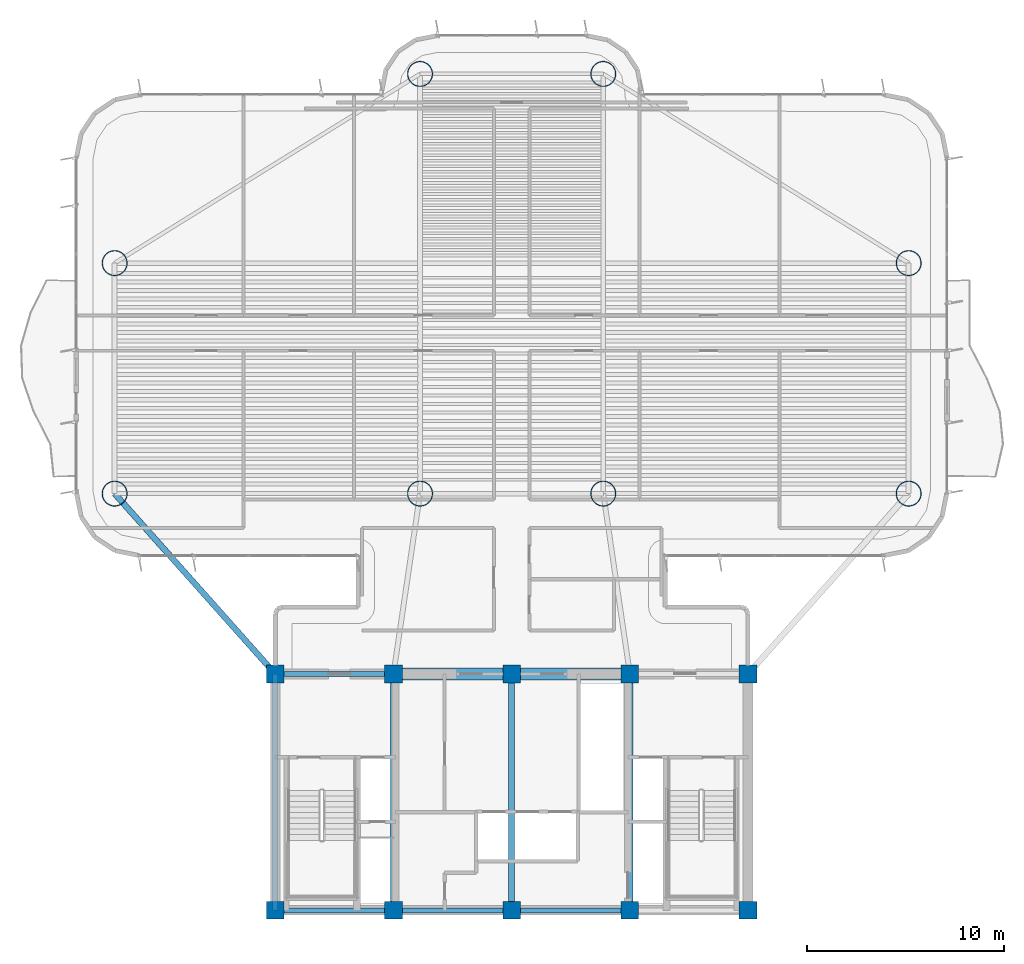
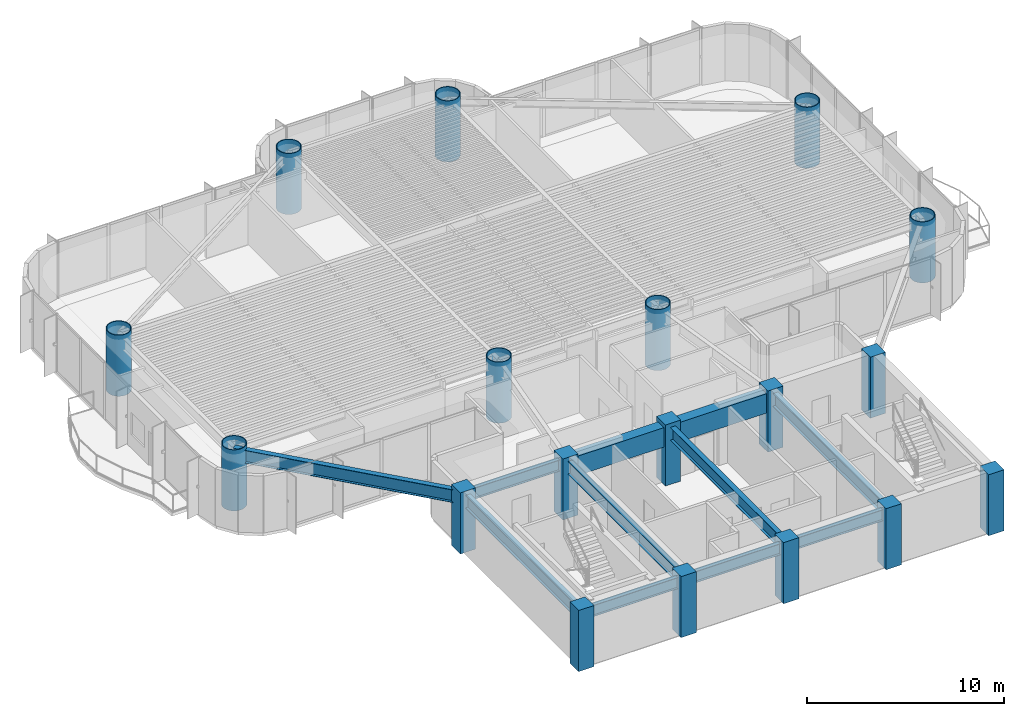
# One storey, part 1 of 16: 18 columns, 10 beams.
"""IFC4 building model written with IfcOpenShell, lengths in metres."""

from ifc_helpers import new_model, si_unit, direction, frame, origin, origin_2d, place, context, subcontext, project, spatial, rectangle, hollow_circle, i_section, extrude, source, transform, mapped, material, material_profile, profile_set, type_object, element, save


model = new_model("IFC4")

# Units and contexts
model_context = context("Model", 3, precision=1e-05, world=origin(), true_north=direction((0.0, 1.0)))
body_context = subcontext(model_context, "Body", "Model", "MODEL_VIEW")
ifc_project = project(units=[si_unit("LENGTHUNIT", "METRE"), si_unit("AREAUNIT", "SQUARE_METRE"), si_unit("VOLUMEUNIT", "CUBIC_METRE"), si_unit("PLANEANGLEUNIT", "RADIAN"), si_unit("MASSUNIT", "GRAM", prefix="KILO")], contexts=[model_context])

# Site, building, storey
site_placement = place(None, origin())
site = spatial("IfcSite", under=ifc_project, at=site_placement, CompositionType="ELEMENT")
building_placement = place(site_placement, origin())
building = spatial("IfcBuilding", under=site, at=building_placement, Name="Brelvock Crest Care Tower", CompositionType="ELEMENT")
storey_placement = place(building_placement, frame((0.0, 0.0, 123.840087890625)))
storey = spatial("IfcBuildingStorey", under=building, at=storey_placement, Name="L31", CompositionType="ELEMENT", Elevation=123.840087890625)

# Columns
ifc_material_1 = material(Name="Concrete S80 (80 MPa)", Category="concrete")
ifc_material_profile_1 = material_profile(ifc_material_1, rectangle(XDim=0.89990234375, YDim=0.89990234375, at=origin_2d()), Name="RC900x900")
ifc_profile_set_1 = profile_set([ifc_material_profile_1], Name="Concrete S80 (80 MPa)")
column_type_1 = type_object("IfcColumnType", Name="COL-RC2", PredefinedType="COLUMN", material=ifc_profile_set_1)
shared_shape_1 = source(origin(), body_context, "Body", "SweptSolid", [
    extrude(rectangle(XDim=0.89990234375, YDim=0.89990234375, at=origin_2d()), origin(), (0.0, 0.0, 1.0), 3.780029296875),
])
for number, where, z_axis, x_axis, name in (
    (1, (24.0, 6.0, 0.0), (0.0, 0.0, 1.0), (1.0, 0.0, 0.0), "L31 Core Column CC-01"),
    (2, (30.0, 6.0, 0.0), (0.0, 0.0, 1.0), (1.0, 0.0, 0.0), "L31 Core Column CC-02"),
    (3, (36.0, 6.0, 0.0), (0.0, 0.0, 1.0), (1.0, 0.0, 0.0), "L31 Core Column CC-03"),
    (4, (42.0, 6.0, 0.0), (0.0, 0.0, 1.0), (1.0, 0.0, 0.0), "L31 Core Column CC-04"),
    (5, (48.0, 6.0, 0.0), (0.0, 0.0, 1.0), (1.0, 0.0, 0.0), "L31 Core Column CC-05"),
    (6, (24.0, 18.0, 0.0), (0.0, 0.0, 1.0), (1.0, 0.0, 0.0), "L31 Core Column CC-06"),
    (7, (30.0, 18.0, 0.0), (0.0, 0.0, 1.0), (1.0, 0.0, 0.0), "L31 Core Column CC-07"),
    (8, (36.0, 18.0, 0.0), (0.0, 0.0, 1.0), (1.0, 0.0, 0.0), "L31 Core Column CC-08"),
    (9, (42.0, 18.0, 0.0), (0.0, 0.0, 1.0), (1.0, 0.0, 0.0), "L31 Core Column CC-09"),
    (10, (48.0, 18.0, 0.0), (0.0, 0.0, 1.0), (1.0, 0.0, 0.0), "L31 Core Column CC-10"),
):
    element("IfcColumn", number, at=place(storey_placement, frame(where, z_axis=z_axis, x_axis=x_axis)), inside=storey, type_object=column_type_1, Name=name, PredefinedType="COLUMN", context=body_context, shape_type="MappedRepresentation", body=[
        mapped(shared_shape_1, transform((0.0, 0.0, 0.0), x_axis=(1.0, 0.0, 0.0), y_axis=(0.0, 1.0, 0.0), z_axis=(0.0, 0.0, 1.0), scale=1.0)),
    ])
ifc_material_2 = material(Name="Steel Grade 350", Category="steel")
ifc_material_profile_2 = material_profile(ifc_material_2, hollow_circle(Radius=0.64990234375, WallThickness=0.044921875, at=origin_2d()), Name="CFT1300x45")
ifc_profile_set_2 = profile_set([ifc_material_profile_2], Name="Steel Grade 350")
column_type_2 = type_object("IfcColumnType", Name="COL-MC2", PredefinedType="COLUMN", material=ifc_profile_set_2)
shared_shape_2 = source(origin(), body_context, "Body", "SweptSolid", [
    extrude(hollow_circle(Radius=0.64990234375, WallThickness=0.044921875, at=origin_2d()), origin(), (0.0, 0.0, 1.0), 3.780029296875),
])
for number, where, z_axis, x_axis, name in (
    (11, (15.85009765625, 27.14990234375, 0.0), (0.0, 0.0, 1.0), (1.0, 0.0, 0.0), "L31 Tower Column M1"),
    (12, (15.85009765625, 38.85009765625, 0.0), (0.0, 0.0, 1.0), (1.0, 0.0, 0.0), "L31 Tower Column M2"),
    (13, (56.14990234375, 27.14990234375, 0.0), (0.0, 0.0, 1.0), (1.0, 0.0, 0.0), "L31 Tower Column M3"),
    (14, (56.14990234375, 38.85009765625, 0.0), (0.0, 0.0, 1.0), (1.0, 0.0, 0.0), "L31 Tower Column M4"),
    (15, (31.35009765625, 27.14990234375, 0.0), (0.0, 0.0, 1.0), (1.0, 0.0, 0.0), "L31 Tower Column M5"),
    (16, (40.64990234375, 27.14990234375, 0.0), (0.0, 0.0, 1.0), (1.0, 0.0, 0.0), "L31 Tower Column M6"),
    (17, (31.35009765625, 48.449951171875, 0.0), (0.0, 0.0, 1.0), (1.0, 0.0, 0.0), "L31 Tower Column M7"),
    (18, (40.64990234375, 48.449951171875, 0.0), (0.0, 0.0, 1.0), (1.0, 0.0, 0.0), "L31 Tower Column M8"),
):
    element("IfcColumn", number, at=place(storey_placement, frame(where, z_axis=z_axis, x_axis=x_axis)), inside=storey, type_object=column_type_2, Name=name, PredefinedType="COLUMN", context=body_context, shape_type="MappedRepresentation", body=[
        mapped(shared_shape_2, transform((0.0, 0.0, 0.0), x_axis=(1.0, 0.0, 0.0), y_axis=(0.0, 1.0, 0.0), z_axis=(0.0, 0.0, 1.0), scale=1.0)),
    ])

# Beams
ifc_material_profile_3 = material_profile(ifc_material_1, rectangle(XDim=0.60009765625, YDim=1.199951171875, at=origin_2d()), Name="RC600x1200")
ifc_profile_set_3 = profile_set([ifc_material_profile_3], Name="Concrete S80 (80 MPa)")
beam_type_1 = type_object("IfcBeamType", Name="BM-LN1", PredefinedType="LINTEL", material=ifc_profile_set_3)
shared_shape_3 = source(origin(), body_context, "Body", "SweptSolid", [
    extrude(rectangle(XDim=0.60009765625, YDim=1.199951171875, at=origin_2d()), origin(), (0.0, 0.0, 1.0), 12.0),
])
beam_1_placement = place(storey_placement, frame((30.0, 18.0, 2.929931640625), z_axis=(1.0, 0.0, 0.0), x_axis=(0.0, 1.0, 0.0)))
element("IfcBeam", 19, at=beam_1_placement, inside=storey, type_object=beam_type_1, Name="L31 Core Coupling Lintel Beam", PredefinedType="LINTEL", context=body_context, shape_type="MappedRepresentation", body=[
    mapped(shared_shape_3, transform((0.0, 0.0, 0.0), x_axis=(1.0, 0.0, 0.0), y_axis=(0.0, 1.0, 0.0), z_axis=(0.0, 0.0, 1.0), scale=1.0)),
])
ifc_material_profile_4 = material_profile(ifc_material_2, i_section(OverallWidth=0.25, OverallDepth=0.699951171875, WebThickness=0.011962890625, FlangeThickness=0.02001953125, at=origin_2d()), Name="700WB150")
ifc_profile_set_4 = profile_set([ifc_material_profile_4], Name="Steel Grade 350")
beam_type_2 = type_object("IfcBeamType", Name="BM-G4", PredefinedType="BEAM", material=ifc_profile_set_4)
shared_shape_4 = source(origin(), body_context, "Body", "SweptSolid", [
    extrude(i_section(OverallWidth=0.25, OverallDepth=0.699951171875, WebThickness=0.011962890625, FlangeThickness=0.02001953125, at=origin_2d()), origin(), (0.0, 0.0, 1.0), 6.0),
])
for number, where, z_axis, x_axis, name in (
    (20, (24.0, 6.0, 3.179931640625), (1.0, 0.0, 0.0), (0.0, 1.0, 0.0), "BM-CORES-L31-1"),
    (21, (24.0, 18.0, 3.179931640625), (1.0, 0.0, 0.0), (0.0, 1.0, 0.0), "BM-COREN-L31-1"),
    (22, (30.0, 6.0, 3.179931640625), (1.0, 0.0, 0.0), (0.0, 1.0, 0.0), "BM-CORES-L31-2"),
    (23, (36.0, 6.0, 3.179931640625), (1.0, 0.0, 0.0), (0.0, 1.0, 0.0), "BM-CORES-L31-3"),
):
    element("IfcBeam", number, at=place(storey_placement, frame(where, z_axis=z_axis, x_axis=x_axis)), inside=storey, type_object=beam_type_2, Name=name, PredefinedType="BEAM", context=body_context, shape_type="MappedRepresentation", body=[
        mapped(shared_shape_4, transform((0.0, 0.0, 0.0), x_axis=(1.0, 0.0, 0.0), y_axis=(0.0, 1.0, 0.0), z_axis=(0.0, 0.0, 1.0), scale=1.0)),
    ])
ifc_material_profile_5 = material_profile(ifc_material_2, i_section(OverallWidth=0.300048828125, OverallDepth=0.800048828125, WebThickness=0.013916015625, FlangeThickness=0.02197265625, at=origin_2d()), Name="800WB192")
ifc_profile_set_5 = profile_set([ifc_material_profile_5], Name="Steel Grade 350")
beam_type_3 = type_object("IfcBeamType", Name="BM-G5", PredefinedType="BEAM", material=ifc_profile_set_5)
shared_shape_5 = source(origin(), body_context, "Body", "SweptSolid", [
    extrude(i_section(OverallWidth=0.300048828125, OverallDepth=0.800048828125, WebThickness=0.013916015625, FlangeThickness=0.02197265625, at=origin_2d()), origin(), (0.0, 0.0, 1.0), 12.0),
])
for number, where, z_axis, x_axis, name in (
    (24, (24.0, 6.0, 3.1298828125), (0.0, 1.0, 0.0), (-1.0, 0.0, 0.0), "BM-COREX-L31-1"),
    (25, (30.0, 6.0, 3.1298828125), (0.0, 1.0, 0.0), (-1.0, 0.0, 0.0), "BM-COREX-L31-2"),
    (26, (36.0, 6.0, 3.1298828125), (0.0, 1.0, 0.0), (-1.0, 0.0, 0.0), "BM-COREX-L31-3"),
    (27, (42.0, 6.0, 3.1298828125), (0.0, 1.0, 0.0), (-1.0, 0.0, 0.0), "BM-COREX-L31-4"),
):
    element("IfcBeam", number, at=place(storey_placement, frame(where, z_axis=z_axis, x_axis=x_axis)), inside=storey, type_object=beam_type_3, Name=name, PredefinedType="BEAM", context=body_context, shape_type="MappedRepresentation", body=[
        mapped(shared_shape_5, transform((0.0, 0.0, 0.0), x_axis=(1.0, 0.0, 0.0), y_axis=(0.0, 1.0, 0.0), z_axis=(0.0, 0.0, 1.0), scale=1.0)),
    ])
shared_shape_6 = source(origin(), body_context, "Body", "SweptSolid", [
    extrude(i_section(OverallWidth=0.300048828125, OverallDepth=0.800048828125, WebThickness=0.013916015625, FlangeThickness=0.02197265625, at=origin_2d()), origin(), (0.0, 0.0, 1.0), 12.253173828125),
])
beam_2_placement = place(storey_placement, frame((24.0, 18.0, 3.1298828125), z_axis=(-0.665122829149, 0.746733970129, 0.0), x_axis=(-0.746733970129, -0.665122829149, 0.0)))
element("IfcBeam", 28, at=beam_2_placement, inside=storey, type_object=beam_type_3, Name="BM-THRO-W-L31", PredefinedType="BEAM", context=body_context, shape_type="MappedRepresentation", body=[
    mapped(shared_shape_6, transform((0.0, 0.0, 0.0), x_axis=(1.0, 0.0, 0.0), y_axis=(0.0, 1.0, 0.0), z_axis=(0.0, 0.0, 1.0), scale=1.0)),
])

save(model, "model.ifc")
